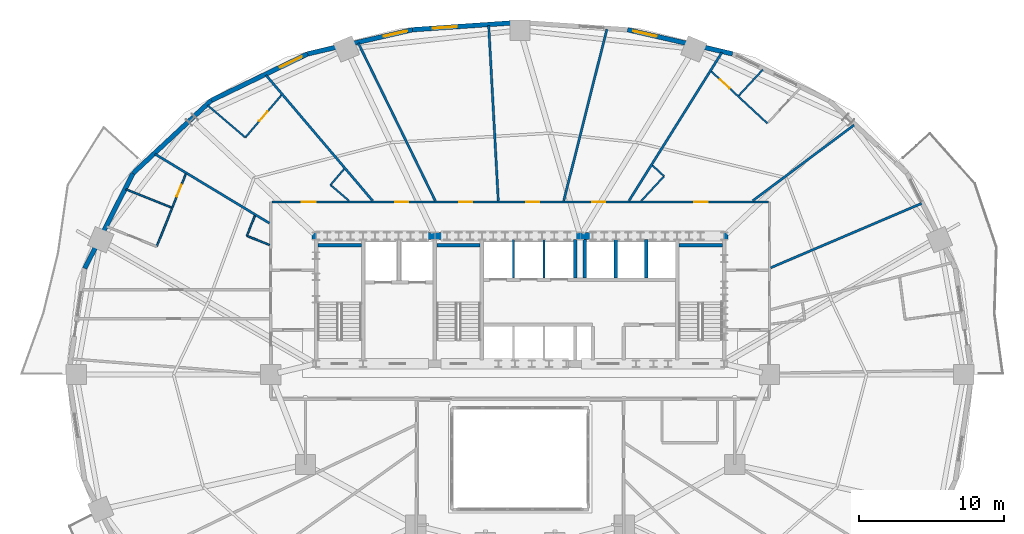
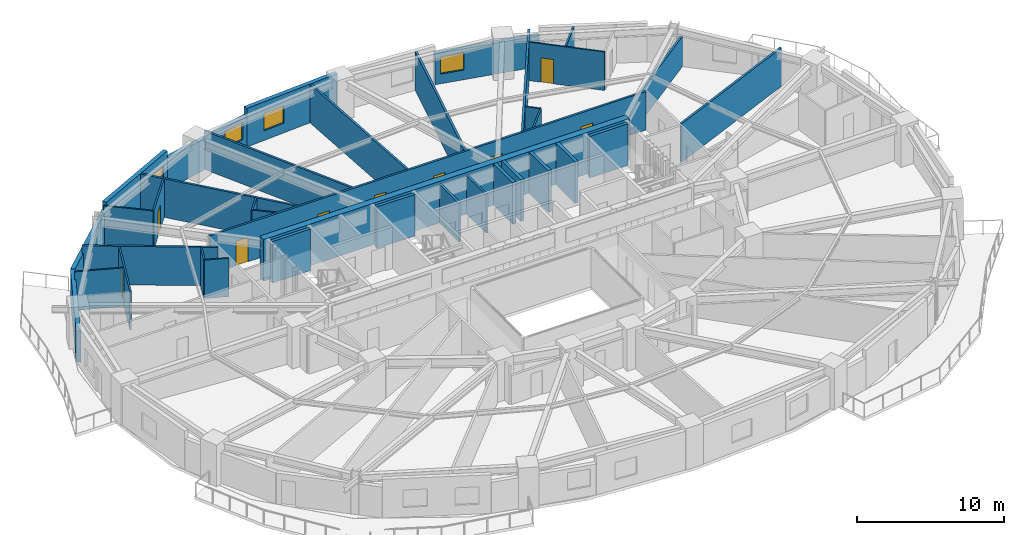
# One storey, part 12 of 17: 37 walls, 9 doors, 4 windows, 13 openings.
"""IFC4 building model written with IfcOpenShell, lengths in metres."""

from ifc_helpers import new_model, si_unit, direction, frame, frame_2d, origin, place, context, subcontext, project, spatial, rectangle, extrude, material, layer, layer_set, type_object, element, fill, save


model = new_model("IFC4")

# Units and contexts
model_context = context("Model", 3, precision=1e-05, world=origin(), true_north=direction((0.0, 1.0)))
body_context = subcontext(model_context, "Body", "Model", "MODEL_VIEW")
ifc_project = project(units=[si_unit("LENGTHUNIT", "METRE"), si_unit("AREAUNIT", "SQUARE_METRE"), si_unit("VOLUMEUNIT", "CUBIC_METRE"), si_unit("PLANEANGLEUNIT", "RADIAN"), si_unit("MASSUNIT", "GRAM", prefix="KILO")], contexts=[model_context])

# Site, building, storey
site_placement = place(None, origin())
site = spatial("IfcSite", under=ifc_project, at=site_placement, CompositionType="ELEMENT")
building_placement = place(site_placement, origin())
building = spatial("IfcBuilding", under=site, at=building_placement, Name="Haldorwick Loom Tower", CompositionType="ELEMENT")
storey_placement = place(building_placement, frame((0.0, 0.0, 34.35009765625)))
storey = spatial("IfcBuildingStorey", under=building, at=storey_placement, Name="L08", CompositionType="ELEMENT", Elevation=34.35009765625)

# Wall, opening, window
ifc_material_1 = material(Name="Pressed Clay Face Brick and Insulated Masonry Backup Assembly", Category="masonry")
ifc_layer_1 = layer(ifc_material_1, 0.320068359375, Name="Pressed Clay Face Brick and Insulated Masonry Backup Assembly", Category="masonry")
ifc_layer_set_1 = layer_set([ifc_layer_1], Name="Pressed Clay Face Brick and Insulated Masonry Backup Assembly")
wall_type_1 = type_object("IfcWallType", Name="ARC-WL-EXT320", PredefinedType="STANDARD", material=ifc_layer_set_1)
wall_1_placement = place(storey_placement, frame((50.644775390625, 48.11572265625, 0.0), z_axis=(0.0, 0.0, 1.0), x_axis=(-0.974522412345, 0.224290142088, 0.0)))
wall_1 = element("IfcWall", 1, at=wall_1_placement, inside=storey, type_object=wall_type_1, Name="L08 Brick Pier and Spandrel Wall 5", PredefinedType="STANDARD", context=body_context, shape_type="SweptSolid", body=[
    extrude(rectangle(XDim=7.422607421875, YDim=0.320068359375, at=frame_2d((3.71142578125, 0.0))), origin(), (0.0, 0.0, 1.0), 2.56884765625),
])
opening_1_placement = place(wall_1_placement, frame((5.37255859375, 0.0, 0.800048828125)))
opening_1 = element("IfcOpeningElement", 2, at=opening_1_placement, cuts=wall_1, Name="Opening W-01B", PredefinedType="OPENING", context=body_context, shape_type="SweptSolid", body=[
    extrude(rectangle(XDim=1.64990234375, YDim=1.449951171875, at=frame_2d((0.824951171875, 0.72509765625))), frame((0.0, 0.169921875, 0.0), z_axis=(0.0, -1.0, 0.0), x_axis=(1.0, 0.0, 0.0)), (0.0, 0.0, 1.0), 0.340087890625),
])
ifc_material_2 = material(Name="Triple-Glazed Low-E Argon Insulated Glazing Unit", Category="glass")
window_type = type_object("IfcWindowType", Name="ARC-WIN-W165", PartitioningType="SINGLE_PANEL", PredefinedType="WINDOW", material=ifc_material_2)
window_1_placement = place(opening_1_placement, origin())
window_1 = element("IfcWindow", 3, at=window_1_placement, inside=storey, type_object=window_type, Name="L08 Deep-Set Zone 7A Window 5", OverallHeight=1.449951171875, OverallWidth=1.64990234375, PartitioningType="SINGLE_PANEL", PredefinedType="WINDOW", context=body_context, shape_type="SweptSolid", body=[
    extrude(rectangle(XDim=1.64990234375, YDim=1.449951171875, at=frame_2d((0.824951171875, 0.72509765625))), frame((0.0, 0.030029296875, 0.0), z_axis=(0.0, -1.0, 0.0), x_axis=(1.0, 0.0, 0.0)), (0.0, 0.0, 1.0), 0.06005859375),
])
fill(opening_1, window_1)

wall_2_placement = place(storey_placement, frame((36.0, 50.2900390625, 0.0), z_axis=(0.0, 0.0, 1.0), x_axis=(-0.997645161917, -0.068586667092, 0.0)))
wall_2 = element("IfcWall", 4, at=wall_2_placement, inside=storey, type_object=wall_type_1, Name="L08 Brick Pier and Spandrel Wall 7", PredefinedType="STANDARD", context=body_context, shape_type="SweptSolid", body=[
    extrude(rectangle(XDim=7.428955078125, YDim=0.320068359375, at=frame_2d((3.71435546875, 0.0))), origin(), (0.0, 0.0, 1.0), 3.2099609375),
])
opening_2_placement = place(wall_2_placement, frame((4.375244140625, 0.0, 0.800048828125)))
opening_2 = element("IfcOpeningElement", 5, at=opening_2_placement, cuts=wall_2, Name="Opening W-01B", PredefinedType="OPENING", context=body_context, shape_type="SweptSolid", body=[
    extrude(rectangle(XDim=1.64990234375, YDim=1.449951171875, at=frame_2d((0.824951171875, 0.72509765625))), frame((0.0, 0.169921875, 0.0), z_axis=(0.0, -1.0, 0.0), x_axis=(1.0, 0.0, 0.0)), (0.0, 0.0, 1.0), 0.340087890625),
])
window_2_placement = place(opening_2_placement, origin())
window_2 = element("IfcWindow", 6, at=window_2_placement, inside=storey, type_object=window_type, Name="L08 Deep-Set Zone 7A Window 7", OverallHeight=1.449951171875, OverallWidth=1.64990234375, PartitioningType="SINGLE_PANEL", PredefinedType="WINDOW", context=body_context, shape_type="SweptSolid", body=[
    extrude(rectangle(XDim=1.64990234375, YDim=1.449951171875, at=frame_2d((0.824951171875, 0.72509765625))), frame((0.0, 0.030029296875, 0.0), z_axis=(0.0, -1.0, 0.0), x_axis=(1.0, 0.0, 0.0)), (0.0, 0.0, 1.0), 0.06005859375),
])
fill(opening_2, window_2)

wall_3_placement = place(storey_placement, frame((28.588623046875, 49.780517578125, 0.0), z_axis=(0.0, 0.0, 1.0), x_axis=(-0.974522412345, -0.224290142088, 0.0)))
wall_3 = element("IfcWall", 7, at=wall_3_placement, inside=storey, type_object=wall_type_1, Name="L08 Brick Pier and Spandrel Wall 8", PredefinedType="STANDARD", context=body_context, shape_type="SweptSolid", body=[
    extrude(rectangle(XDim=7.422607421875, YDim=0.320068359375, at=frame_2d((3.71142578125, 0.0))), origin(), (0.0, 0.0, 1.0), 2.56884765625),
])
opening_3_placement = place(wall_3_placement, frame((0.39990234375, 0.0, 0.800048828125)))
opening_3 = element("IfcOpeningElement", 8, at=opening_3_placement, cuts=wall_3, Name="Opening W-01B", PredefinedType="OPENING", context=body_context, shape_type="SweptSolid", body=[
    extrude(rectangle(XDim=1.64990234375, YDim=1.449951171875, at=frame_2d((0.824951171875, 0.72509765625))), frame((0.0, 0.169921875, 0.0), z_axis=(0.0, -1.0, 0.0), x_axis=(1.0, 0.0, 0.0)), (0.0, 0.0, 1.0), 0.340087890625),
])
window_3_placement = place(opening_3_placement, origin())
window_3 = element("IfcWindow", 9, at=window_3_placement, inside=storey, type_object=window_type, Name="L08 Deep-Set Zone 7A Window 8", OverallHeight=1.449951171875, OverallWidth=1.64990234375, PartitioningType="SINGLE_PANEL", PredefinedType="WINDOW", context=body_context, shape_type="SweptSolid", body=[
    extrude(rectangle(XDim=1.64990234375, YDim=1.449951171875, at=frame_2d((0.824951171875, 0.72509765625))), frame((0.0, 0.030029296875, 0.0), z_axis=(0.0, -1.0, 0.0), x_axis=(1.0, 0.0, 0.0)), (0.0, 0.0, 1.0), 0.06005859375),
])
fill(opening_3, window_3)

wall_4_placement = place(storey_placement, frame((21.355224609375, 48.11572265625, 0.0), z_axis=(0.0, 0.0, 1.0), x_axis=(-0.900295710431, -0.435278800057, 0.0)))
wall_4 = element("IfcWall", 10, at=wall_4_placement, inside=storey, type_object=wall_type_1, Name="L08 Brick Pier and Spandrel Wall 9", PredefinedType="STANDARD", context=body_context, shape_type="SweptSolid", body=[
    extrude(rectangle(XDim=7.39697265625, YDim=0.320068359375, at=frame_2d((3.698486328125, 0.0))), origin(), (0.0, 0.0, 1.0), 3.2099609375),
])
opening_4_placement = place(wall_4_placement, frame((0.460693359375, 0.0, 0.800048828125)))
opening_4 = element("IfcOpeningElement", 11, at=opening_4_placement, cuts=wall_4, Name="Opening W-01B", PredefinedType="OPENING", context=body_context, shape_type="SweptSolid", body=[
    extrude(rectangle(XDim=1.64990234375, YDim=1.449951171875, at=frame_2d((0.824951171875, 0.72509765625))), frame((0.0, 0.169921875, 0.0), z_axis=(0.0, -1.0, 0.0), x_axis=(1.0, 0.0, 0.0)), (0.0, 0.0, 1.0), 0.340087890625),
])
window_4_placement = place(opening_4_placement, origin())
window_4 = element("IfcWindow", 12, at=window_4_placement, inside=storey, type_object=window_type, Name="L08 Deep-Set Zone 7A Window 9", OverallHeight=1.449951171875, OverallWidth=1.64990234375, PartitioningType="SINGLE_PANEL", PredefinedType="WINDOW", context=body_context, shape_type="SweptSolid", body=[
    extrude(rectangle(XDim=1.64990234375, YDim=1.449951171875, at=frame_2d((0.824951171875, 0.72509765625))), frame((0.0, 0.030029296875, 0.0), z_axis=(0.0, -1.0, 0.0), x_axis=(1.0, 0.0, 0.0)), (0.0, 0.0, 1.0), 0.06005859375),
])
fill(opening_4, window_4)

# Walls
for number, where, z_axis, x_axis, name in (
    (13, (14.69580078125, 44.89599609375, 0.0), (0.0, 0.0, 1.0), (-0.73176101237, -0.681561311091, 0.0), "L08 Brick Pier and Spandrel Wall 10"),
    (14, (9.311279296875, 39.880859375, 0.0), (0.0, 0.0, 1.0), (-0.452950855928, -0.891535485617, 0.0), "L08 Brick Pier and Spandrel Wall 11"),
):
    element("IfcWall", number, at=place(storey_placement, frame(where, z_axis=z_axis, x_axis=x_axis)), inside=storey, type_object=wall_type_1, Name=name, PredefinedType="STANDARD", context=body_context, shape_type="SweptSolid", body=[
        extrude(rectangle(XDim=7.3583984375, YDim=0.320068359375, at=frame_2d((3.67919921875, 0.0))), origin(), (0.0, 0.0, 1.0), 2.56884765625),
    ])

# Wall, openings, doors
ifc_material_3 = material(Name="Fire-Rated Type X Gypsum Stud Assembly EI 60")
ifc_layer_2 = layer(ifc_material_3, 0.159912109375, Name="Fire-Rated Type X Gypsum Stud Assembly EI 60")
ifc_layer_set_2 = layer_set([ifc_layer_2], Name="Fire-Rated Type X Gypsum Stud Assembly EI 60")
wall_type_2 = type_object("IfcWallType", Name="ARC-WL-FIRE160", PredefinedType="PARTITIONING", material=ifc_layer_set_2)
wall_5_placement = place(storey_placement, frame((18.883056640625, 37.89990234375, 0.0), z_axis=(0.0, 0.0, 1.0), x_axis=(1.0, 0.0, 0.0)))
wall_5 = element("IfcWall", 15, at=wall_5_placement, inside=storey, type_object=wall_type_2, Name="L08 Residential Fire Partition L08-CR-N0", PredefinedType="PARTITIONING", context=body_context, shape_type="SweptSolid", body=[
    extrude(rectangle(XDim=34.23388671875, YDim=0.159912109375, at=frame_2d((17.116943359375, 0.0))), origin(), (0.0, 0.0, 1.0), 3.19482421875),
])
opening_5_placement = place(wall_5_placement, frame((29.120849609375, 0.0, 0.0)))
opening_5 = element("IfcOpeningElement", 16, at=opening_5_placement, cuts=wall_5, Name="Opening D-FL95", PredefinedType="OPENING", context=body_context, shape_type="SweptSolid", body=[
    extrude(rectangle(XDim=0.949951171875, YDim=2.0400390625, at=frame_2d((0.47509765625, 1.02001953125))), frame((0.0, 0.08984375, 0.0), z_axis=(0.0, -1.0, 0.0), x_axis=(1.0, 0.0, 0.0)), (0.0, 0.0, 1.0), 0.179931640625),
])
opening_6_placement = place(wall_5_placement, frame((2.06494140625, 0.0, 0.0)))
opening_6 = element("IfcOpeningElement", 17, at=opening_6_placement, cuts=wall_5, Name="Opening D-FL95", PredefinedType="OPENING", context=body_context, shape_type="SweptSolid", body=[
    extrude(rectangle(XDim=0.949951171875, YDim=2.0400390625, at=frame_2d((0.47509765625, 1.02001953125))), frame((0.0, 0.08984375, 0.0), z_axis=(0.0, -1.0, 0.0), x_axis=(1.0, 0.0, 0.0)), (0.0, 0.0, 1.0), 0.179931640625),
])
opening_7_placement = place(wall_5_placement, frame((22.078125, 0.0, 0.0)))
opening_7 = element("IfcOpeningElement", 18, at=opening_7_placement, cuts=wall_5, Name="Opening D-FD60A", PredefinedType="OPENING", context=body_context, shape_type="SweptSolid", body=[
    extrude(rectangle(XDim=0.89990234375, YDim=2.0, at=frame_2d((0.449951171875, 1.0))), frame((0.0, 0.08984375, 0.0), z_axis=(0.0, -1.0, 0.0), x_axis=(1.0, 0.0, 0.0)), (0.0, 0.0, 1.0), 0.179931640625),
])
opening_8_placement = place(wall_5_placement, frame((17.550537109375, 0.0, 0.0)))
opening_8 = element("IfcOpeningElement", 19, at=opening_8_placement, cuts=wall_5, Name="Opening D-FD60A", PredefinedType="OPENING", context=body_context, shape_type="SweptSolid", body=[
    extrude(rectangle(XDim=0.89990234375, YDim=2.0, at=frame_2d((0.449951171875, 1.0))), frame((0.0, 0.08984375, 0.0), z_axis=(0.0, -1.0, 0.0), x_axis=(1.0, 0.0, 0.0)), (0.0, 0.0, 1.0), 0.179931640625),
])
opening_9_placement = place(wall_5_placement, frame((8.4951171875, 0.0, 0.0)))
opening_9 = element("IfcOpeningElement", 20, at=opening_9_placement, cuts=wall_5, Name="Opening D-FD60A", PredefinedType="OPENING", context=body_context, shape_type="SweptSolid", body=[
    extrude(rectangle(XDim=0.89990234375, YDim=2.0, at=frame_2d((0.449951171875, 1.0))), frame((0.0, 0.08984375, 0.0), z_axis=(0.0, -1.0, 0.0), x_axis=(1.0, 0.0, 0.0)), (0.0, 0.0, 1.0), 0.179931640625),
])
opening_10_placement = place(wall_5_placement, frame((12.912353515625, 0.0, 0.0)))
opening_10 = element("IfcOpeningElement", 21, at=opening_10_placement, cuts=wall_5, Name="Opening D-FD60A", PredefinedType="OPENING", context=body_context, shape_type="SweptSolid", body=[
    extrude(rectangle(XDim=0.89990234375, YDim=2.0, at=frame_2d((0.449951171875, 1.0))), frame((0.0, 0.08984375, 0.0), z_axis=(0.0, -1.0, 0.0), x_axis=(1.0, 0.0, 0.0)), (0.0, 0.0, 1.0), 0.179931640625),
])
ifc_material_4 = material(Name="Hollow Steel Fire Door Assembly", Category="steel")
door_type_1 = type_object("IfcDoorType", Name="ARC-DR-FD60-90", OperationType="NOTDEFINED", PredefinedType="DOOR", material=ifc_material_4)
door_1_placement = place(opening_7_placement, frame((0.89990234375, 0.0, 0.0), z_axis=(0.0, 0.0, 1.0), x_axis=(-1.0, 0.0, 0.0)))
door_1 = element("IfcDoor", 22, at=door_1_placement, inside=storey, type_object=door_type_1, Name="L08 Shared Resident Dining Hall 11 to L08 North Residential Corridor Doo", OperationType="SINGLE_SWING_RIGHT", OverallHeight=2.0, OverallWidth=0.89990234375, PredefinedType="DOOR", context=body_context, shape_type="SweptSolid", body=[
    extrude(rectangle(XDim=0.89990234375, YDim=2.0, at=frame_2d((0.449951171875, 1.0))), frame((0.0, 0.02490234375, 0.0), z_axis=(0.0, -1.0, 0.0), x_axis=(1.0, 0.0, 0.0)), (0.0, 0.0, 1.0), 0.050048828125),
])
fill(opening_7, door_1)
door_2_placement = place(opening_8_placement, frame((0.89990234375, 0.0, 0.0), z_axis=(0.0, 0.0, 1.0), x_axis=(-1.0, 0.0, 0.0)))
door_2 = element("IfcDoor", 23, at=door_2_placement, inside=storey, type_object=door_type_1, Name="L08 Shared Resident Dining Hall 12 to L08 North Residential Corridor Doo", OperationType="SINGLE_SWING_LEFT", OverallHeight=2.0, OverallWidth=0.89990234375, PredefinedType="DOOR", context=body_context, shape_type="SweptSolid", body=[
    extrude(rectangle(XDim=0.89990234375, YDim=2.0, at=frame_2d((0.449951171875, 1.0))), frame((0.0, 0.02490234375, 0.0), z_axis=(0.0, -1.0, 0.0), x_axis=(1.0, 0.0, 0.0)), (0.0, 0.0, 1.0), 0.050048828125),
])
fill(opening_8, door_2)
door_3_placement = place(opening_9_placement, frame((0.89990234375, 0.0, 0.0), z_axis=(0.0, 0.0, 1.0), x_axis=(-1.0, 0.0, 0.0)))
door_3 = element("IfcDoor", 24, at=door_3_placement, inside=storey, type_object=door_type_1, Name="L08 Shared Resident Dining Hall 13 to L08 North Residential Corridor Doo", OperationType="SINGLE_SWING_RIGHT", OverallHeight=2.0, OverallWidth=0.89990234375, PredefinedType="DOOR", context=body_context, shape_type="SweptSolid", body=[
    extrude(rectangle(XDim=0.89990234375, YDim=2.0, at=frame_2d((0.449951171875, 1.0))), frame((0.0, 0.02490234375, 0.0), z_axis=(0.0, -1.0, 0.0), x_axis=(1.0, 0.0, 0.0)), (0.0, 0.0, 1.0), 0.050048828125),
])
fill(opening_9, door_3)
door_4_placement = place(opening_10_placement, frame((0.89990234375, 0.0, 0.0), z_axis=(0.0, 0.0, 1.0), x_axis=(-1.0, 0.0, 0.0)))
door_4 = element("IfcDoor", 25, at=door_4_placement, inside=storey, type_object=door_type_1, Name="L08 Shared Resident Dining Hall 14 to L08 North Residential Corridor Doo", OperationType="SINGLE_SWING_LEFT", OverallHeight=2.0, OverallWidth=0.89990234375, PredefinedType="DOOR", context=body_context, shape_type="SweptSolid", body=[
    extrude(rectangle(XDim=0.89990234375, YDim=2.0, at=frame_2d((0.449951171875, 1.0))), frame((0.0, 0.02490234375, 0.0), z_axis=(0.0, -1.0, 0.0), x_axis=(1.0, 0.0, 0.0)), (0.0, 0.0, 1.0), 0.050048828125),
])
fill(opening_10, door_4)
ifc_material_5 = material(Name="Solid Core Birch Architectural Door")
door_type_2 = type_object("IfcDoorType", Name="ARC-DR-FLAT95", OperationType="NOTDEFINED", PredefinedType="DOOR", material=ifc_material_5)
door_5_placement = place(opening_5_placement, frame((0.949951171875, 0.0, 0.0), z_axis=(0.0, 0.0, 1.0), x_axis=(-1.0, 0.0, 0.0)))
door_5 = element("IfcDoor", 26, at=door_5_placement, inside=storey, type_object=door_type_2, Name="L08 Unit 08E Kitchen and Living Room to L08 North Residential Corridor D", OperationType="SINGLE_SWING_LEFT", OverallHeight=2.0400390625, OverallWidth=0.949951171875, PredefinedType="DOOR", context=body_context, shape_type="SweptSolid", body=[
    extrude(rectangle(XDim=0.949951171875, YDim=2.0400390625, at=frame_2d((0.47509765625, 1.02001953125))), frame((0.0, 0.02490234375, 0.0), z_axis=(0.0, -1.0, 0.0), x_axis=(1.0, 0.0, 0.0)), (0.0, 0.0, 1.0), 0.050048828125),
])
fill(opening_5, door_5)
door_6_placement = place(opening_6_placement, frame((0.949951171875, 0.0, 0.0), z_axis=(0.0, 0.0, 1.0), x_axis=(-1.0, 0.0, 0.0)))
door_6 = element("IfcDoor", 27, at=door_6_placement, inside=storey, type_object=door_type_2, Name="L08 Unit 08F Kitchen and Studio Living Room to L08 North Residential Cor", OperationType="SINGLE_SWING_LEFT", OverallHeight=2.0400390625, OverallWidth=0.949951171875, PredefinedType="DOOR", context=body_context, shape_type="SweptSolid", body=[
    extrude(rectangle(XDim=0.949951171875, YDim=2.0400390625, at=frame_2d((0.47509765625, 1.02001953125))), frame((0.0, 0.02490234375, 0.0), z_axis=(0.0, -1.0, 0.0), x_axis=(1.0, 0.0, 0.0)), (0.0, 0.0, 1.0), 0.050048828125),
])
fill(opening_6, door_6)

# Walls
wall_6_placement = place(storey_placement, frame((34.49560546875, 37.98291015625, 0.0), z_axis=(0.0, 0.0, 1.0), x_axis=(-0.054528808972, 0.998512197718, 0.0)))
element("IfcWall", 28, at=wall_6_placement, inside=storey, type_object=wall_type_2, Name="L08 Residential Fire Partition L08-UPN-11", PredefinedType="PARTITIONING", context=body_context, shape_type="SweptSolid", body=[
    extrude(rectangle(XDim=12.111083984375, YDim=0.159912109375, at=frame_2d((6.0556640625, 0.0))), origin(), (0.0, 0.0, 1.0), 3.19482421875),
])
wall_7_placement = place(storey_placement, frame((52.037109375, 37.98291015625, 0.0), z_axis=(0.0, 0.0, 1.0), x_axis=(0.801076774435, 0.598561610413, 0.0)))
element("IfcWall", 29, at=wall_7_placement, inside=storey, type_object=wall_type_2, Name="L08 Suite Split Wall", PredefinedType="PARTITIONING", context=body_context, shape_type="SweptSolid", body=[
    extrude(rectangle(XDim=8.723388671875, YDim=0.159912109375, at=frame_2d((4.36181640625, 0.0))), origin(), (0.0, 0.0, 1.0), 2.489990234375),
])
wall_8_placement = place(storey_placement, frame((18.717041015625, 36.43798828125, 0.0), z_axis=(0.0, 0.0, 1.0), x_axis=(-0.856005402243, 0.516966876435, 0.0)))
element("IfcWall", 30, at=wall_8_placement, inside=storey, type_object=wall_type_2, Name="L08 Suite Split Wall", PredefinedType="PARTITIONING", context=body_context, shape_type="SweptSolid", body=[
    extrude(rectangle(XDim=9.218017578125, YDim=0.159912109375, at=frame_2d((4.60888671875, 0.0))), origin(), (0.0, 0.0, 1.0), 3.19482421875),
])
wall_9_placement = place(storey_placement, frame((43.50732421875, 37.98291015625, 0.0), z_axis=(0.0, 0.0, 1.0), x_axis=(0.530907280122, 0.847429914455, 0.0)))
element("IfcWall", 31, at=wall_9_placement, inside=storey, type_object=wall_type_2, Name="L08 Suite Split Wall", PredefinedType="PARTITIONING", context=body_context, shape_type="SweptSolid", body=[
    extrude(rectangle(XDim=12.07568359375, YDim=0.159912109375, at=frame_2d((6.037841796875, 0.0))), origin(), (0.0, 0.0, 1.0), 3.19482421875),
])
wall_10_placement = place(storey_placement, frame((25.830810546875, 37.98291015625, 0.0), z_axis=(0.0, 0.0, 1.0), x_axis=(-0.647044794707, 0.762451987762, 0.0)))
element("IfcWall", 32, at=wall_10_placement, inside=storey, type_object=wall_type_2, Name="L08 Suite Split Wall", PredefinedType="PARTITIONING", context=body_context, shape_type="SweptSolid", body=[
    extrude(rectangle(XDim=11.36865234375, YDim=0.159912109375, at=frame_2d((5.684326171875, 0.0))), origin(), (0.0, 0.0, 1.0), 3.19482421875),
])
wall_11_placement = place(storey_placement, frame((53.282958984375, 33.3671875, 0.0), z_axis=(0.0, 0.0, 1.0), x_axis=(0.919911251581, 0.392126623956, 0.0)))
element("IfcWall", 33, at=wall_11_placement, inside=storey, type_object=wall_type_2, Name="L08 Suite Split Wall", PredefinedType="PARTITIONING", context=body_context, shape_type="SweptSolid", body=[
    extrude(rectangle(XDim=11.296630859375, YDim=0.159912109375, at=frame_2d((5.6484375, 0.0))), origin(), (0.0, 0.0, 1.0), 3.19482421875),
])
wall_12_placement = place(storey_placement, frame((39.0107421875, 37.98291015625, 0.0), z_axis=(0.0, 0.0, 1.0), x_axis=(0.243675100146, 0.969856920153, 0.0)))
element("IfcWall", 34, at=wall_12_placement, inside=storey, type_object=wall_type_2, Name="L08 Suite Split Wall", PredefinedType="PARTITIONING", context=body_context, shape_type="SweptSolid", body=[
    extrude(rectangle(XDim=12.1982421875, YDim=0.159912109375, at=frame_2d((6.09912109375, 0.0))), origin(), (0.0, 0.0, 1.0), 3.19482421875),
])
wall_13_placement = place(storey_placement, frame((30.150390625, 37.98291015625, 0.0), z_axis=(0.0, 0.0, 1.0), x_axis=(-0.438667003558, 0.898649687024, 0.0)))
element("IfcWall", 35, at=wall_13_placement, inside=storey, type_object=wall_type_2, Name="L08 Suite Split Wall", PredefinedType="PARTITIONING", context=body_context, shape_type="SweptSolid", body=[
    extrude(rectangle(XDim=12.094970703125, YDim=0.159912109375, at=frame_2d((6.04736328125, 0.0))), origin(), (0.0, 0.0, 1.0), 3.19482421875),
])
ifc_material_6 = material(Name="Acoustic Gypsum Stud Assembly STC 55")
ifc_layer_3 = layer(ifc_material_6, 0.1201171875, Name="Acoustic Gypsum Stud Assembly STC 55")
ifc_layer_set_3 = layer_set([ifc_layer_3], Name="Acoustic Gypsum Stud Assembly STC 55")
wall_type_3 = type_object("IfcWallType", Name="ARC-WL-PART120", PredefinedType="PARTITIONING", material=ifc_layer_set_3)
wall_14_placement = place(storey_placement, frame((17.712646484375, 36.947509765625, 0.0), z_axis=(0.0, 0.0, 1.0), x_axis=(-0.372154077174, -0.928170966386, 0.0)))
element("IfcWall", 36, at=wall_14_placement, inside=storey, type_object=wall_type_3, Name="L08 Unit 08A Interior Partition", PredefinedType="PARTITIONING", context=body_context, shape_type="SweptSolid", body=[
    extrude(rectangle(XDim=1.488525390625, YDim=0.1201171875, at=frame_2d((0.744140625, 0.0))), origin(), (0.0, 0.0, 1.0), 3.19482421875),
])
wall_15_placement = place(storey_placement, frame((18.717041015625, 34.94140625, 0.0), z_axis=(0.0, 0.0, 1.0), x_axis=(-0.928235795544, 0.371992349209, 0.0)))
element("IfcWall", 37, at=wall_15_placement, inside=storey, type_object=wall_type_3, Name="L08 Unit 08A Interior Partition", PredefinedType="PARTITIONING", context=body_context, shape_type="SweptSolid", body=[
    extrude(rectangle(XDim=1.6787109375, YDim=0.1201171875, at=frame_2d((0.83935546875, 0.0))), origin(), (0.0, 0.0, 1.0), 3.19482421875),
])

# Wall, opening, door
wall_16_placement = place(storey_placement, frame((12.94580078125, 39.826416015625, 0.0), z_axis=(0.0, 0.0, 1.0), x_axis=(-0.372093671099, -0.928195184176, 0.0)))
wall_16 = element("IfcWall", 38, at=wall_16_placement, inside=storey, type_object=wall_type_3, Name="L08 Unit 08A Interior Partition", PredefinedType="PARTITIONING", context=body_context, shape_type="SweptSolid", body=[
    extrude(rectangle(XDim=5.38818359375, YDim=0.1201171875, at=frame_2d((2.694091796875, 0.0))), origin(), (0.0, 0.0, 1.0), 3.19482421875),
])
opening_11_placement = place(wall_16_placement, frame((0.794677734375, 0.0, 0.0)))
opening_11 = element("IfcOpeningElement", 39, at=opening_11_placement, cuts=wall_16, Name="Opening D-BT88", PredefinedType="OPENING", context=body_context, shape_type="SweptSolid", body=[
    extrude(rectangle(XDim=0.8798828125, YDim=2.02001953125, at=frame_2d((0.43994140625, 1.010009765625))), frame((0.0, 0.070068359375, 0.0), z_axis=(0.0, -1.0, 0.0), x_axis=(1.0, 0.0, 0.0)), (0.0, 0.0, 1.0), 0.14013671875),
])
door_type_3 = type_object("IfcDoorType", Name="ARC-DR-BATH88", OperationType="NOTDEFINED", PredefinedType="DOOR", material=ifc_material_5)
door_7_placement = place(opening_11_placement, origin())
door_7 = element("IfcDoor", 40, at=door_7_placement, inside=storey, type_object=door_type_3, Name="L08 Unit 08A Kitchen and Living Room to Unit 08A Bathroom Door", OperationType="SINGLE_SWING_RIGHT", OverallHeight=2.02001953125, OverallWidth=0.8798828125, PredefinedType="DOOR", context=body_context, shape_type="SweptSolid", body=[
    extrude(rectangle(XDim=0.8798828125, YDim=2.02001953125, at=frame_2d((0.43994140625, 1.010009765625))), frame((0.0, 0.02490234375, 0.0), z_axis=(0.0, -1.0, 0.0), x_axis=(1.0, 0.0, 0.0)), (0.0, 0.0, 1.0), 0.050048828125),
])
fill(opening_11, door_7)

# Walls
wall_17_placement = place(storey_placement, frame((11.952392578125, 37.517822265625, 0.0), z_axis=(0.0, 0.0, 1.0), x_axis=(-0.928201913578, 0.372076884031, 0.0)))
element("IfcWall", 41, at=wall_17_placement, inside=storey, type_object=wall_type_3, Name="L08 Unit 08A Interior Partition", PredefinedType="PARTITIONING", context=body_context, shape_type="SweptSolid", body=[
    extrude(rectangle(XDim=3.373291015625, YDim=0.1201171875, at=frame_2d((1.6865234375, 0.0))), origin(), (0.0, 0.0, 1.0), 3.19482421875),
])
wall_18_placement = place(storey_placement, frame((45.9296875, 39.677490234375, 0.0), z_axis=(0.0, 0.0, 1.0), x_axis=(-0.733711003492, 0.679461671734, 0.0)))
element("IfcWall", 42, at=wall_18_placement, inside=storey, type_object=wall_type_3, Name="L08 Unit 08E Interior Partition", PredefinedType="PARTITIONING", context=body_context, shape_type="SweptSolid", body=[
    extrude(rectangle(XDim=1.089111328125, YDim=0.1201171875, at=frame_2d((0.54443359375, 0.0))), origin(), (0.0, 0.0, 1.0), 3.19482421875),
])
wall_19_placement = place(storey_placement, frame((44.360107421875, 37.98291015625, 0.0), z_axis=(0.0, 0.0, 1.0), x_axis=(0.679530269144, 0.733647472099, 0.0)))
element("IfcWall", 43, at=wall_19_placement, inside=storey, type_object=wall_type_3, Name="L08 Unit 08E Interior Partition", PredefinedType="PARTITIONING", context=body_context, shape_type="SweptSolid", body=[
    extrude(rectangle(XDim=2.309814453125, YDim=0.1201171875, at=frame_2d((1.15478515625, 0.0))), origin(), (0.0, 0.0, 1.0), 3.19482421875),
])

# Wall, opening, door
wall_20_placement = place(storey_placement, frame((53.0537109375, 43.319580078125, 0.0), z_axis=(0.0, 0.0, 1.0), x_axis=(-0.733664788314, 0.679511573403, 0.0)))
wall_20 = element("IfcWall", 44, at=wall_20_placement, inside=storey, type_object=wall_type_3, Name="L08 Unit 08E Interior Partition", PredefinedType="PARTITIONING", context=body_context, shape_type="SweptSolid", body=[
    extrude(rectangle(XDim=5.265625, YDim=0.1201171875, at=frame_2d((2.6328125, 0.0))), origin(), (0.0, 0.0, 1.0), 3.19482421875),
])
opening_12_placement = place(wall_20_placement, frame((3.56640625, 0.0, 0.0)))
opening_12 = element("IfcOpeningElement", 45, at=opening_12_placement, cuts=wall_20, Name="Opening D-BT88", PredefinedType="OPENING", context=body_context, shape_type="SweptSolid", body=[
    extrude(rectangle(XDim=0.8798828125, YDim=2.02001953125, at=frame_2d((0.43994140625, 1.010009765625))), frame((0.0, 0.070068359375, 0.0), z_axis=(0.0, -1.0, 0.0), x_axis=(1.0, 0.0, 0.0)), (0.0, 0.0, 1.0), 0.14013671875),
])
door_8_placement = place(opening_12_placement, origin())
door_8 = element("IfcDoor", 46, at=door_8_placement, inside=storey, type_object=door_type_3, Name="L08 Unit 08E Kitchen and Living Room to Unit 08E Bathroom Door", OperationType="SINGLE_SWING_LEFT", OverallHeight=2.02001953125, OverallWidth=0.8798828125, PredefinedType="DOOR", context=body_context, shape_type="SweptSolid", body=[
    extrude(rectangle(XDim=0.8798828125, YDim=2.02001953125, at=frame_2d((0.43994140625, 1.010009765625))), frame((0.0, 0.02490234375, 0.0), z_axis=(0.0, -1.0, 0.0), x_axis=(1.0, 0.0, 0.0)), (0.0, 0.0, 1.0), 0.050048828125),
])
fill(opening_12, door_8)

# Walls
wall_21_placement = place(storey_placement, frame((51.078369140625, 45.235107421875, 0.0), z_axis=(0.0, 0.0, 1.0), x_axis=(0.679547307906, 0.733631689827, 0.0)))
element("IfcWall", 47, at=wall_21_placement, inside=storey, type_object=wall_type_3, Name="L08 Unit 08E Interior Partition", PredefinedType="PARTITIONING", context=body_context, shape_type="SweptSolid", body=[
    extrude(rectangle(XDim=2.446533203125, YDim=0.1201171875, at=frame_2d((1.22314453125, 0.0))), origin(), (0.0, 0.0, 1.0), 3.19482421875),
])
wall_22_placement = place(storey_placement, frame((23.863525390625, 40.1728515625, 0.0), z_axis=(0.0, 0.0, 1.0), x_axis=(-0.648756643585, -0.760995937837, 0.0)))
element("IfcWall", 48, at=wall_22_placement, inside=storey, type_object=wall_type_3, Name="L08 Unit 08F Interior Partition", PredefinedType="PARTITIONING", context=body_context, shape_type="SweptSolid", body=[
    extrude(rectangle(XDim=1.4443359375, YDim=0.1201171875, at=frame_2d((0.72216796875, 0.0))), origin(), (0.0, 0.0, 1.0), 3.19482421875),
])
wall_23_placement = place(storey_placement, frame((24.20556640625, 37.98291015625, 0.0), z_axis=(0.0, 0.0, 1.0), x_axis=(-0.76087402222, 0.648899624218, 0.0)))
element("IfcWall", 49, at=wall_23_placement, inside=storey, type_object=wall_type_3, Name="L08 Unit 08F Interior Partition", PredefinedType="PARTITIONING", context=body_context, shape_type="SweptSolid", body=[
    extrude(rectangle(XDim=1.68115234375, YDim=0.1201171875, at=frame_2d((0.840576171875, 0.0))), origin(), (0.0, 0.0, 1.0), 3.19482421875),
])

# Wall, opening, door
wall_24_placement = place(storey_placement, frame((19.542236328125, 45.264892578125, 0.0), z_axis=(0.0, 0.0, 1.0), x_axis=(-0.6488641843, -0.76090424518, 0.0)))
wall_24 = element("IfcWall", 50, at=wall_24_placement, inside=storey, type_object=wall_type_3, Name="L08 Unit 08F Interior Partition", PredefinedType="PARTITIONING", context=body_context, shape_type="SweptSolid", body=[
    extrude(rectangle(XDim=3.8330078125, YDim=0.1201171875, at=frame_2d((1.91650390625, 0.0))), origin(), (0.0, 0.0, 1.0), 3.19482421875),
])
opening_13_placement = place(wall_24_placement, frame((1.476318359375, 0.0, 0.0)))
opening_13 = element("IfcOpeningElement", 51, at=opening_13_placement, cuts=wall_24, Name="Opening D-BT88", PredefinedType="OPENING", context=body_context, shape_type="SweptSolid", body=[
    extrude(rectangle(XDim=0.8798828125, YDim=2.02001953125, at=frame_2d((0.43994140625, 1.010009765625))), frame((0.0, 0.070068359375, 0.0), z_axis=(0.0, -1.0, 0.0), x_axis=(1.0, 0.0, 0.0)), (0.0, 0.0, 1.0), 0.14013671875),
])
door_9_placement = place(opening_13_placement, origin())
door_9 = element("IfcDoor", 52, at=door_9_placement, inside=storey, type_object=door_type_3, Name="L08 Unit 08F Kitchen and Studio Living Room to Unit 08F Bathroom Door", OperationType="SINGLE_SWING_LEFT", OverallHeight=2.02001953125, OverallWidth=0.8798828125, PredefinedType="DOOR", context=body_context, shape_type="SweptSolid", body=[
    extrude(rectangle(XDim=0.8798828125, YDim=2.02001953125, at=frame_2d((0.43994140625, 1.010009765625))), frame((0.0, 0.02490234375, 0.0), z_axis=(0.0, -1.0, 0.0), x_axis=(1.0, 0.0, 0.0)), (0.0, 0.0, 1.0), 0.050048828125),
])
fill(opening_13, door_9)

# Walls
wall_25_placement = place(storey_placement, frame((17.05517578125, 42.348388671875, 0.0), z_axis=(0.0, 0.0, 1.0), x_axis=(-0.760867026056, 0.648907827554, 0.0)))
element("IfcWall", 53, at=wall_25_placement, inside=storey, type_object=wall_type_3, Name="L08 Unit 08F Interior Partition", PredefinedType="PARTITIONING", context=body_context, shape_type="SweptSolid", body=[
    extrude(rectangle(XDim=3.43017578125, YDim=0.1201171875, at=frame_2d((1.715087890625, 0.0))), origin(), (0.0, 0.0, 1.0), 3.19482421875),
])
ifc_material_7 = material(Name="Fire-Rated Type X Gypsum Stud Assembly EI 120")
ifc_layer_4 = layer(ifc_material_7, 0.1650390625, Name="Fire-Rated Type X Gypsum Stud Assembly EI 120")
ifc_layer_set_4 = layer_set([ifc_layer_4], Name="Fire-Rated Type X Gypsum Stud Assembly EI 120")
wall_type_4 = type_object("IfcWallType", Name="ARC-WL-SHAFT160", PredefinedType="MOVABLE", material=ifc_layer_set_4)
for number, where, z_axis, x_axis, name in (
    (54, (35.550048828125, 32.673095703125, 0.0), (0.0, 0.0, 1.0), (0.0, 1.0, 0.0), "L08 Low-Rise Hoistway Divider 1"),
    (55, (37.64990234375, 32.673095703125, 0.0), (0.0, 0.0, 1.0), (0.0, 1.0, 0.0), "L08 Low-Rise Hoistway Divider 2"),
):
    element("IfcWall", number, at=place(storey_placement, frame(where, z_axis=z_axis, x_axis=x_axis)), inside=storey, type_object=wall_type_4, Name=name, PredefinedType="MOVABLE", context=body_context, shape_type="SweptSolid", body=[
        extrude(rectangle(XDim=2.6240234375, YDim=0.159912109375, at=frame_2d((1.31201171875, 0.0))), origin(), (0.0, 0.0, 1.0), 3.19482421875),
    ])
ifc_material_8 = material(Name="Concrete C60 (60 MPa)", Category="concrete")
ifc_layer_5 = layer(ifc_material_8, 0.5, Name="Concrete C60 (60 MPa)", Category="concrete")
ifc_layer_set_5 = layer_set([ifc_layer_5], Name="Concrete C60 (60 MPa)")
wall_type_5 = type_object("IfcWallType", Name="STR-WL-CORE500", PredefinedType="SHEAR", material=ifc_layer_set_5)
wall_26_placement = place(storey_placement, frame((50.35009765625, 35.550048828125, 0.0), z_axis=(0.0, 0.0, 1.0), x_axis=(-1.0, 0.0, 0.0)))
element("IfcWall", 56, at=wall_26_placement, inside=storey, type_object=wall_type_5, Name="L08 Core Shear Wall N", PredefinedType="SHEAR", context=body_context, shape_type="SweptSolid", body=[
    extrude(rectangle(XDim=28.7001953125, YDim=0.5, at=frame_2d((14.35009765625, 0.0))), origin(), (0.0, 0.0, 1.0), 3.449951171875),
])
ifc_material_9 = material(Name="Concrete C50 (50 MPa)", Category="concrete")
ifc_layer_6 = layer(ifc_material_9, 0.239990234375, Name="Concrete C50 (50 MPa)", Category="concrete")
ifc_layer_set_6 = layer_set([ifc_layer_6], Name="Concrete C50 (50 MPa)")
wall_type_6 = type_object("IfcWallType", Name="STR-WL-SHAFT240", PredefinedType="SHEAR", material=ifc_layer_set_6)
for number, where, z_axis, x_axis, name in (
    (57, (22.052978515625, 34.919921875, 0.0), (0.0, 0.0, 1.0), (1.0, 0.0, 0.0), "L08 Core Shear Wall 1N"),
    (58, (30.2529296875, 34.919921875, 0.0), (0.0, 0.0, 1.0), (1.0, 0.0, 0.0), "L08 Core Shear Wall 3N"),
    (59, (46.952880859375, 34.919921875, 0.0), (0.0, 0.0, 1.0), (1.0, 0.0, 0.0), "L08 Core Shear Wall 4N"),
):
    element("IfcWall", number, at=place(storey_placement, frame(where, z_axis=z_axis, x_axis=x_axis)), inside=storey, type_object=wall_type_6, Name=name, PredefinedType="SHEAR", context=body_context, shape_type="SweptSolid", body=[
        extrude(rectangle(XDim=2.994140625, YDim=0.239990234375, at=frame_2d((1.4970703125, 0.0))), origin(), (0.0, 0.0, 1.0), 3.449951171875),
    ])
for number, where, z_axis, x_axis, name in (
    (60, (39.800048828125, 32.673095703125, 0.0), (0.0, 0.0, 1.0), (0.0, 1.0, 0.0), "L08 Core Shear Wall LHW"),
    (61, (40.449951171875, 32.673095703125, 0.0), (0.0, 0.0, 1.0), (0.0, 1.0, 0.0), "L08 Core Shear Wall H0"),
    (62, (42.60009765625, 32.673095703125, 0.0), (0.0, 0.0, 1.0), (0.0, 1.0, 0.0), "L08 Core Shear Wall H1"),
    (63, (44.699951171875, 32.673095703125, 0.0), (0.0, 0.0, 1.0), (0.0, 1.0, 0.0), "L08 Core Shear Wall H2"),
):
    element("IfcWall", number, at=place(storey_placement, frame(where, z_axis=z_axis, x_axis=x_axis)), inside=storey, type_object=wall_type_6, Name=name, PredefinedType="SHEAR", context=body_context, shape_type="SweptSolid", body=[
        extrude(rectangle(XDim=2.6240234375, YDim=0.239990234375, at=frame_2d((1.31201171875, 0.0))), origin(), (0.0, 0.0, 1.0), 3.449951171875),
    ])

save(model, "model.ifc")
